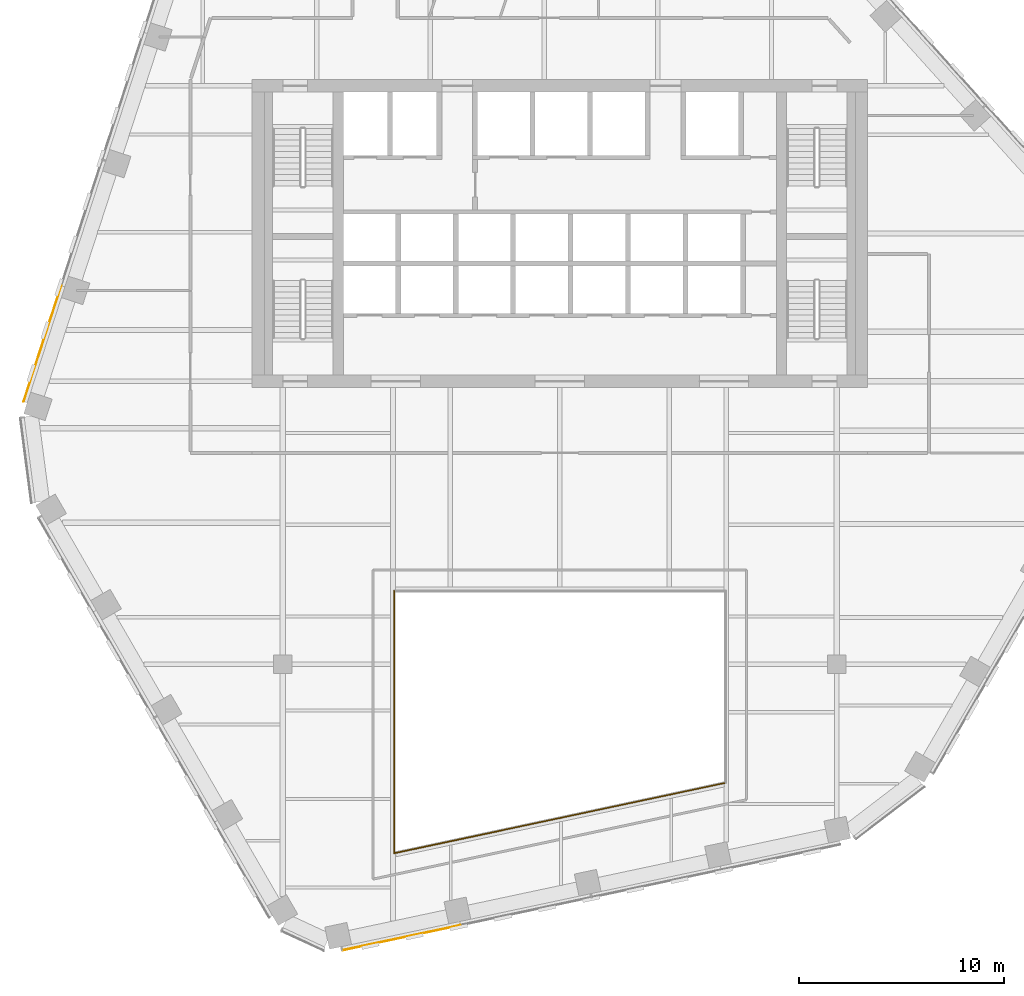
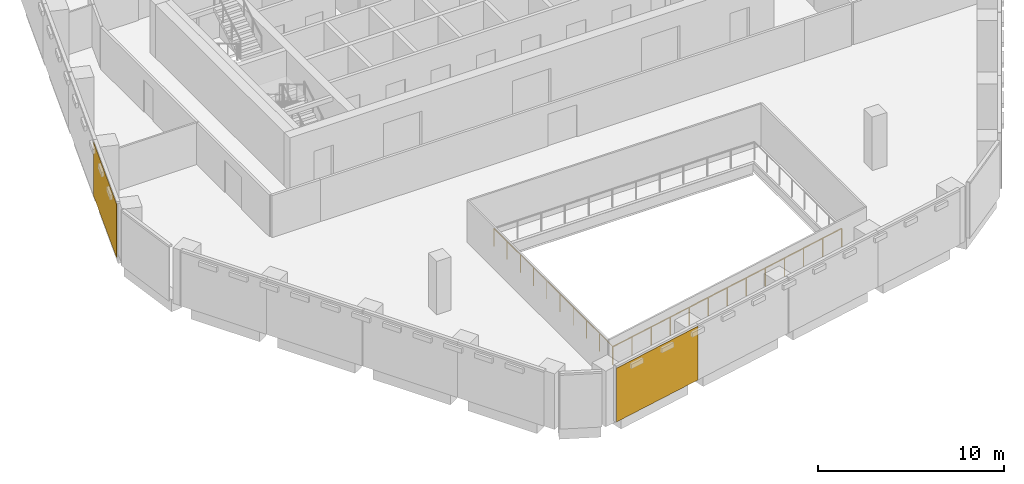
# One storey, part 12 of 16: 2 coverings, 2 railings, 2 elements without a shape of their own.
"""IFC4 building model written with IfcOpenShell, lengths in metres."""

from ifc_helpers import new_model, si_unit, direction, frame, origin, origin_2d, place, context, subcontext, project, spatial, rectangle, circle, extrude, material, layer, layer_set, type_object, element, aggregate, save


model = new_model("IFC4")

# Units and contexts
model_context = context("Model", 3, precision=1e-05, world=origin(), true_north=direction((0.0, 1.0)))
body_context = subcontext(model_context, "Body", "Model", "MODEL_VIEW")
ifc_project = project(units=[si_unit("LENGTHUNIT", "METRE"), si_unit("AREAUNIT", "SQUARE_METRE"), si_unit("VOLUMEUNIT", "CUBIC_METRE"), si_unit("PLANEANGLEUNIT", "RADIAN"), si_unit("MASSUNIT", "GRAM", prefix="KILO")], contexts=[model_context])

# Site, building, storey
site_placement = place(None, origin())
site = spatial("IfcSite", under=ifc_project, at=site_placement, CompositionType="ELEMENT")
building_placement = place(site_placement, origin())
building = spatial("IfcBuilding", under=site, at=building_placement, Name="Isthmus Gate Tower", CompositionType="ELEMENT")
storey_placement = place(building_placement, frame((0.0, 0.0, 216.300048828125)))
storey = spatial("IfcBuildingStorey", under=building, at=storey_placement, Name="L54", CompositionType="ELEMENT", Elevation=216.300048828125)

# Railings
ifc_material_1 = material(Name="Laminated toughened glass balustrade with steel rail", Category="steel")
railing_type = type_object("IfcRailingType", Name="ATRIUM GUARD GLASS BALUSTRADE 1200", PredefinedType="GUARDRAIL", material=ifc_material_1)
railing_1_placement = place(storey_placement, frame((-8.080078125, -22.7099609375, 0.0)))
element("IfcRailing", 1, at=railing_1_placement, inside=storey, type_object=railing_type, Name="L54 atrium guard", PredefinedType="GUARDRAIL", context=body_context, shape_type="SweptSolid", body=[
    extrude(circle(Radius=0.02490234375, at=origin_2d()), frame((0.0, 0.0, 1.1748046875), z_axis=(0.0, 1.0, 0.0), x_axis=(-1.0, 0.0, 0.0)), (0.0, 0.0, 1.0), 12.7900390625),
    extrude(circle(Radius=0.02490234375, at=origin_2d()), origin(), (0.0, 0.0, 1.0), 1.14990234375),
    extrude(circle(Radius=0.02490234375, at=origin_2d()), frame((0.0, 1.421142578125, 0.0)), (0.0, 0.0, 1.0), 1.14990234375),
    extrude(circle(Radius=0.02490234375, at=origin_2d()), frame((0.0, 2.84228515625, 0.0)), (0.0, 0.0, 1.0), 1.14990234375),
    extrude(circle(Radius=0.02490234375, at=origin_2d()), frame((0.0, 4.263427734375, 0.0)), (0.0, 0.0, 1.0), 1.14990234375),
    extrude(circle(Radius=0.02490234375, at=origin_2d()), frame((0.0, 5.6845703125, 0.0)), (0.0, 0.0, 1.0), 1.14990234375),
    extrude(circle(Radius=0.02490234375, at=origin_2d()), frame((0.0, 7.10546875, 0.0)), (0.0, 0.0, 1.0), 1.14990234375),
    extrude(circle(Radius=0.02490234375, at=origin_2d()), frame((0.0, 8.526611328125, 0.0)), (0.0, 0.0, 1.0), 1.14990234375),
    extrude(circle(Radius=0.02490234375, at=origin_2d()), frame((0.0, 9.94775390625, 0.0)), (0.0, 0.0, 1.0), 1.14990234375),
    extrude(circle(Radius=0.02490234375, at=origin_2d()), frame((0.0, 11.368896484375, 0.0)), (0.0, 0.0, 1.0), 1.14990234375),
    extrude(circle(Radius=0.02490234375, at=origin_2d()), frame((0.0, 12.7900390625, 0.0)), (0.0, 0.0, 1.0), 1.14990234375),
])
railing_2_placement = place(storey_placement, frame((8.080078125, -19.27490234375, 0.0)))
element("IfcRailing", 2, at=railing_2_placement, inside=storey, type_object=railing_type, Name="L54 atrium guard", PredefinedType="GUARDRAIL", context=body_context, shape_type="SweptSolid", body=[
    extrude(circle(Radius=0.02490234375, at=origin_2d()), frame((0.0, 0.0, 1.1748046875), z_axis=(-0.978146230105, -0.207918139013, 0.0), x_axis=(0.207918139013, -0.978146230105, 0.0)), (0.0, 0.0, 1.0), 16.521240234375),
    extrude(circle(Radius=0.02490234375, at=origin_2d()), origin(), (0.0, 0.0, 1.0), 1.14990234375),
    extrude(circle(Radius=0.02490234375, at=origin_2d()), frame((-1.3466796875, -0.2861328125, 0.0)), (0.0, 0.0, 1.0), 1.14990234375),
    extrude(circle(Radius=0.02490234375, at=origin_2d()), frame((-2.693359375, -0.572509765625, 0.0)), (0.0, 0.0, 1.0), 1.14990234375),
    extrude(circle(Radius=0.02490234375, at=origin_2d()), frame((-4.0400390625, -0.85888671875, 0.0)), (0.0, 0.0, 1.0), 1.14990234375),
    extrude(circle(Radius=0.02490234375, at=origin_2d()), frame((-5.38671875, -1.14501953125, 0.0)), (0.0, 0.0, 1.0), 1.14990234375),
    extrude(circle(Radius=0.02490234375, at=origin_2d()), frame((-6.7333984375, -1.43115234375, 0.0)), (0.0, 0.0, 1.0), 1.14990234375),
    extrude(circle(Radius=0.02490234375, at=origin_2d()), frame((-8.080078125, -1.717529296875, 0.0)), (0.0, 0.0, 1.0), 1.14990234375),
    extrude(circle(Radius=0.02490234375, at=origin_2d()), frame((-9.4267578125, -2.00390625, 0.0)), (0.0, 0.0, 1.0), 1.14990234375),
    extrude(circle(Radius=0.02490234375, at=origin_2d()), frame((-10.7734375, -2.2900390625, 0.0)), (0.0, 0.0, 1.0), 1.14990234375),
    extrude(circle(Radius=0.02490234375, at=origin_2d()), frame((-12.1201171875, -2.576171875, 0.0)), (0.0, 0.0, 1.0), 1.14990234375),
    extrude(circle(Radius=0.02490234375, at=origin_2d()), frame((-13.466796875, -2.862548828125, 0.0)), (0.0, 0.0, 1.0), 1.14990234375),
    extrude(circle(Radius=0.02490234375, at=origin_2d()), frame((-14.8134765625, -3.14892578125, 0.0)), (0.0, 0.0, 1.0), 1.14990234375),
    extrude(circle(Radius=0.02490234375, at=origin_2d()), frame((-16.16015625, -3.43505859375, 0.0)), (0.0, 0.0, 1.0), 1.14990234375),
])

# Curtain wall, covering
ifc_material_2 = material(Name="Aluminium, pale champagne anodised", Category="aluminium")
ifc_layer_1 = layer(ifc_material_2, 0.199951171875)
ifc_layer_set_1 = layer_set([ifc_layer_1], Name="CW-1 UNITISED CURTAIN WALL 200 DEEP")
curtain_wall_type = type_object("IfcCurtainWallType", Name="CW-1 UNITISED CURTAIN WALL 200 DEEP", PredefinedType="NOTDEFINED", material=ifc_layer_set_1)
curtain_wall_1_placement = place(storey_placement, origin())
curtain_wall_1 = element("IfcCurtainWall", 3, at=curtain_wall_1_placement, inside=storey, type_object=curtain_wall_type, Name="CW-1 NW L54", PredefinedType="NOTDEFINED")
ifc_material_3 = material(Name="Aluminium composite panel, pale champagne anodised", Category="aluminium")
ifc_layer_2 = layer(ifc_material_3, 0.031982421875)
ifc_layer_set_2 = layer_set([ifc_layer_2], Name="CW-1 PALE METAL PANEL 32")
covering_type = type_object("IfcCoveringType", Name="CW-1 PALE METAL PANEL 32", PredefinedType="CLADDING", material=ifc_layer_set_2)
covering_1_placement = place(storey_placement, frame((-25.215576171875, 2.123779296875, 0.0), z_axis=(0.0, 0.0, 1.0), x_axis=(-0.309016994375, -0.951056516295, 0.0)))
covering_1 = element("IfcCovering", 4, at=covering_1_placement, type_object=covering_type, Name="CW-1 pale metal panel", PredefinedType="CLADDING", context=body_context, shape_type="SweptSolid", body=[
    extrude(rectangle(XDim=5.94189453125, YDim=0.031982421875, at=origin_2d()), origin(), (0.0, 0.0, 1.0), 3.52001953125),
])
aggregate(curtain_wall_1, [covering_1])

curtain_wall_2_placement = place(storey_placement, origin())
curtain_wall_2 = element("IfcCurtainWall", 5, at=curtain_wall_2_placement, inside=storey, type_object=curtain_wall_type, Name="CW-1 S L54", PredefinedType="NOTDEFINED")
covering_2_placement = place(storey_placement, frame((-7.71435546875, -26.827880859375, 0.0), z_axis=(0.0, 0.0, 1.0), x_axis=(0.978147600734, 0.207911690818, 0.0)))
covering_2 = element("IfcCovering", 6, at=covering_2_placement, type_object=covering_type, Name="CW-1 pale metal panel", PredefinedType="CLADDING", context=body_context, shape_type="SweptSolid", body=[
    extrude(rectangle(XDim=5.8818359375, YDim=0.031982421875, at=origin_2d()), origin(), (0.0, 0.0, 1.0), 3.52001953125),
])
aggregate(curtain_wall_2, [covering_2])

save(model, "model.ifc")
